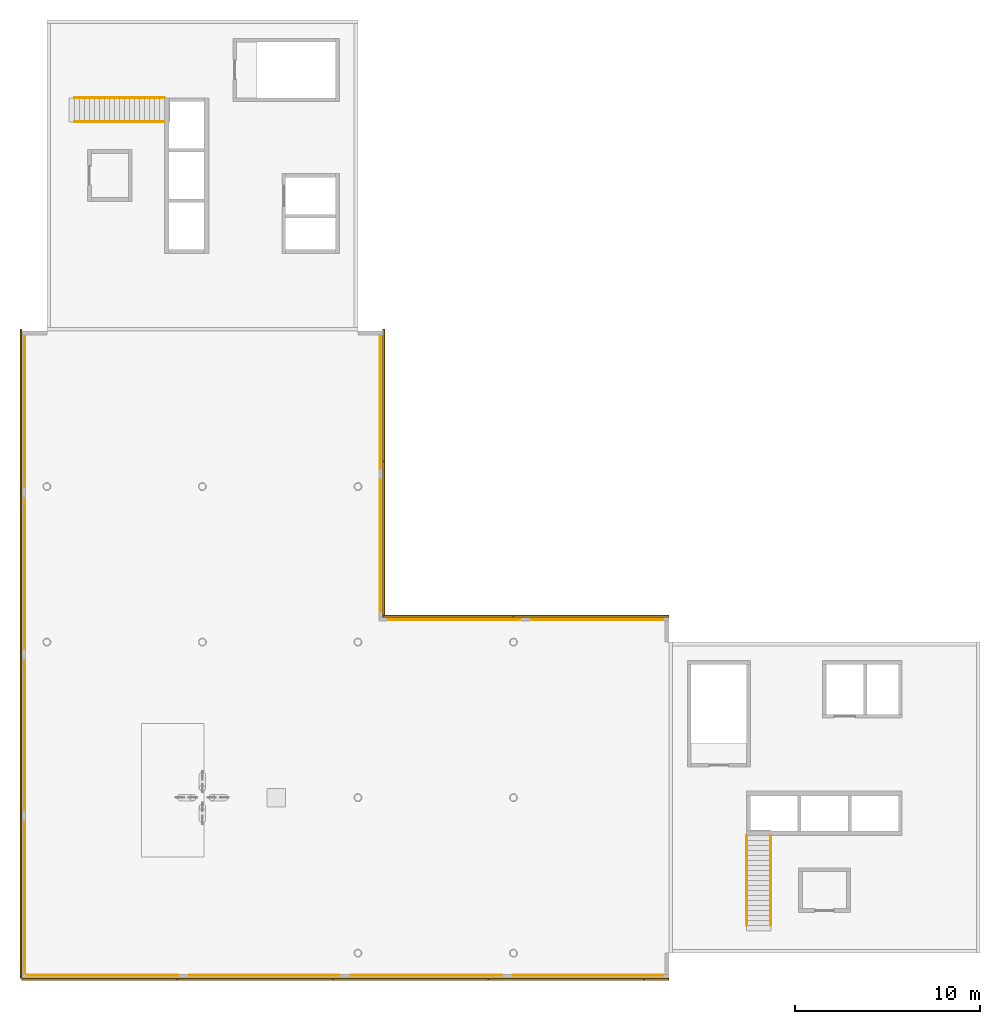
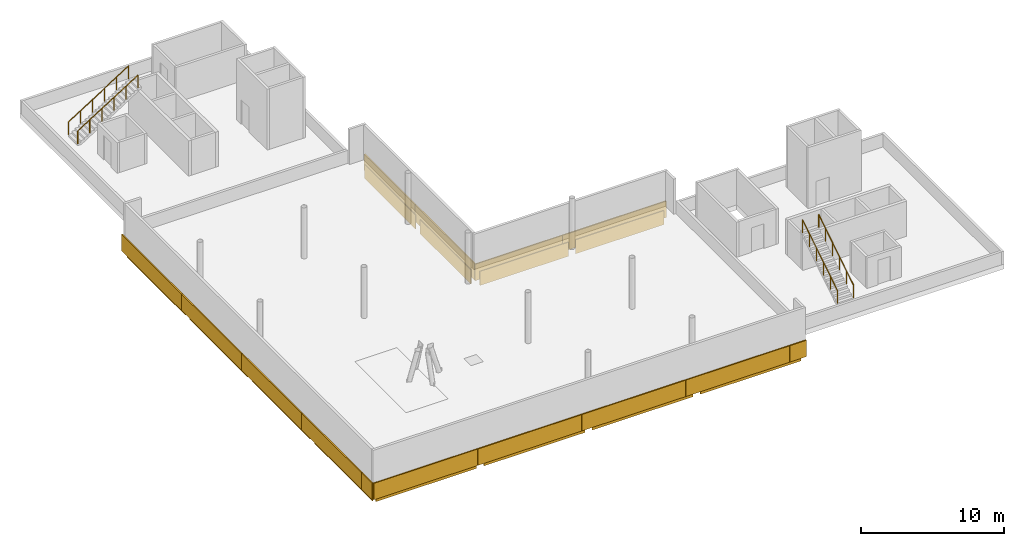
# One storey, part 4 of 4: 26 shading devices, 4 railings.
"""IFC4 building model written with IfcOpenShell, lengths in metres."""

from ifc_helpers import new_model, si_unit, direction, frame, origin, origin_2d, place, context, subcontext, project, spatial, rectangle, circle, extrude, material, layer, layer_set, type_object, element, save


model = new_model("IFC4")

# Units and contexts
model_context = context("Model", 3, precision=1e-05, world=origin(), true_north=direction((0.0, 1.0)))
body_context = subcontext(model_context, "Body", "Model", "MODEL_VIEW")
ifc_project = project(units=[si_unit("LENGTHUNIT", "METRE"), si_unit("AREAUNIT", "SQUARE_METRE"), si_unit("VOLUMEUNIT", "CUBIC_METRE"), si_unit("PLANEANGLEUNIT", "RADIAN"), si_unit("MASSUNIT", "GRAM", prefix="KILO")], contexts=[model_context])

# Site, building, storey
site_placement = place(None, origin())
site = spatial("IfcSite", under=ifc_project, at=site_placement, CompositionType="ELEMENT")
building_placement = place(site_placement, origin())
building = spatial("IfcBuilding", under=site, at=building_placement, Name="Vermilion Gate Residences", CompositionType="ELEMENT")
storey_placement = place(building_placement, frame((0.0, 0.0, 284.199951171875)))
storey = spatial("IfcBuildingStorey", under=building, at=storey_placement, Name="ROOF", CompositionType="ELEMENT", Elevation=284.199951171875)

# Shading devices
ifc_material_1 = material(Name="Perforated terracotta", Category="masonry")
ifc_layer_1 = layer(ifc_material_1, 0.050048828125)
ifc_layer_set_1 = layer_set([ifc_layer_1], Name="PERFORATED TERRACOTTA CANOPY SCREEN 50")
shading_device_type_1 = type_object("IfcShadingDeviceType", Name="PERFORATED TERRACOTTA CANOPY SCREEN 50", PredefinedType="SHUTTER", material=ifc_layer_set_1)
for number, where, z_axis, x_axis, name in (
    (1, (7.199951171875, 37.63134765625, -1.5498046875), (0.0, 0.0, 1.0), (0.0, -1.0, 0.0), "SCREEN"),
    (2, (7.199951171875, 28.893798828125, -1.5498046875), (0.0, 0.0, 1.0), (0.0, -1.0, 0.0), "SCREEN"),
    (3, (7.199951171875, 20.15625, -1.5498046875), (0.0, 0.0, 1.0), (0.0, -1.0, 0.0), "SCREEN"),
    (4, (7.199951171875, 11.418701171875, -1.5498046875), (0.0, 0.0, 1.0), (0.0, -1.0, 0.0), "SCREEN"),
    (5, (11.418701171875, 7.199951171875, -1.5498046875), (0.0, 0.0, 1.0), (1.0, 0.0, 0.0), "SCREEN"),
    (6, (20.15625, 7.199951171875, -1.5498046875), (0.0, 0.0, 1.0), (1.0, 0.0, 0.0), "SCREEN"),
    (7, (28.893798828125, 7.199951171875, -1.5498046875), (0.0, 0.0, 1.0), (1.0, 0.0, 0.0), "SCREEN"),
    (8, (37.63134765625, 7.199951171875, -1.5498046875), (0.0, 0.0, 1.0), (1.0, 0.0, 0.0), "SCREEN"),
):
    element("IfcShadingDevice", number, at=place(storey_placement, frame(where, z_axis=z_axis, x_axis=x_axis)), inside=storey, type_object=shading_device_type_1, Name=name, PredefinedType="SHUTTER", context=body_context, shape_type="SweptSolid", body=[
        extrude(rectangle(XDim=8.137451171875, YDim=0.050048828125, at=origin_2d()), origin(), (0.0, 0.0, 1.0), 1.199951171875),
    ])
for number, where, z_axis, x_axis, name in (
    (9, (38.137451171875, 26.39990234375, -1.5498046875), (0.0, 0.0, 1.0), (-1.0, 0.0, 0.0), "SCREEN"),
    (10, (30.41259765625, 26.39990234375, -1.5498046875), (0.0, 0.0, 1.0), (-1.0, 0.0, 0.0), "SCREEN"),
    (11, (26.39990234375, 30.41259765625, -1.5498046875), (0.0, 0.0, 1.0), (0.0, 1.0, 0.0), "SCREEN"),
    (12, (26.39990234375, 38.137451171875, -1.5498046875), (0.0, 0.0, 1.0), (0.0, 1.0, 0.0), "SCREEN"),
):
    element("IfcShadingDevice", number, at=place(storey_placement, frame(where, z_axis=z_axis, x_axis=x_axis)), inside=storey, type_object=shading_device_type_1, Name=name, PredefinedType="SHUTTER", context=body_context, shape_type="SweptSolid", body=[
        extrude(rectangle(XDim=7.125, YDim=0.050048828125, at=origin_2d()), origin(), (0.0, 0.0, 1.0), 1.199951171875),
    ])

# Railings
ifc_material_2 = material(Name="Steel S355", Category="steel")
railing_type = type_object("IfcRailingType", Name="STAIR GUARD 1100 STEEL", PredefinedType="GUARDRAIL", material=ifc_material_2)
for number, where, name in (
    (13, (46.199951171875, 9.889892578125, 0.171142578125), "Roof access stair guard STA3-ROOF (1)"),
    (14, (47.5, 9.889892578125, 0.171142578125), "Roof access stair guard STA3-ROOF (2)"),
):
    element("IfcRailing", number, at=place(storey_placement, frame(where)), inside=storey, type_object=railing_type, Name=name, PredefinedType="GUARDRAIL", context=body_context, shape_type="SweptSolid", body=[
        extrude(circle(Radius=0.02392578125, at=origin_2d()), frame((0.0, 0.0, 1.076171875), z_axis=(0.0, 0.844757049237, 0.535150004919), x_axis=(-1.0, 0.0, 0.0)), (0.0, 0.0, 1.0), 5.753173828125),
        extrude(circle(Radius=0.02099609375, at=origin_2d()), origin(), (0.0, 0.0, 1.0), 1.052001953125),
        extrude(circle(Radius=0.02099609375, at=origin_2d()), frame((0.0, 0.971923828125, 0.61572265625)), (0.0, 0.0, 1.0), 1.052001953125),
        extrude(circle(Radius=0.02099609375, at=origin_2d()), frame((0.0, 1.944091796875, 1.2314453125)), (0.0, 0.0, 1.0), 1.052001953125),
        extrude(circle(Radius=0.02099609375, at=origin_2d()), frame((0.0, 2.916015625, 1.847412109375)), (0.0, 0.0, 1.0), 1.052001953125),
        extrude(circle(Radius=0.02099609375, at=origin_2d()), frame((0.0, 3.88818359375, 2.463134765625)), (0.0, 0.0, 1.0), 1.052001953125),
        extrude(circle(Radius=0.02099609375, at=origin_2d()), frame((0.0, 4.860107421875, 3.078857421875)), (0.0, 0.0, 1.0), 1.052001953125),
    ])
for number, where, name in (
    (15, (9.889892578125, 54.60009765625, 0.171142578125), "Roof access stair guard STB3-ROOF (1)"),
    (16, (9.889892578125, 53.300048828125, 0.171142578125), "Roof access stair guard STB3-ROOF (2)"),
):
    element("IfcRailing", number, at=place(storey_placement, frame(where)), inside=storey, type_object=railing_type, Name=name, PredefinedType="GUARDRAIL", context=body_context, shape_type="SweptSolid", body=[
        extrude(circle(Radius=0.02392578125, at=origin_2d()), frame((0.0, 0.0, 1.076171875), z_axis=(0.844757049237, 0.0, 0.535150004919), x_axis=(0.0, 1.0, 0.0)), (0.0, 0.0, 1.0), 5.753173828125),
        extrude(circle(Radius=0.02099609375, at=origin_2d()), origin(), (0.0, 0.0, 1.0), 1.052001953125),
        extrude(circle(Radius=0.02099609375, at=origin_2d()), frame((0.971923828125, 0.0, 0.61572265625)), (0.0, 0.0, 1.0), 1.052001953125),
        extrude(circle(Radius=0.02099609375, at=origin_2d()), frame((1.944091796875, 0.0, 1.2314453125)), (0.0, 0.0, 1.0), 1.052001953125),
        extrude(circle(Radius=0.02099609375, at=origin_2d()), frame((2.916015625, 0.0, 1.847412109375)), (0.0, 0.0, 1.0), 1.052001953125),
        extrude(circle(Radius=0.02099609375, at=origin_2d()), frame((3.88818359375, 0.0, 2.463134765625)), (0.0, 0.0, 1.0), 1.052001953125),
        extrude(circle(Radius=0.02099609375, at=origin_2d()), frame((4.860107421875, 0.0, 3.078857421875)), (0.0, 0.0, 1.0), 1.052001953125),
    ])

# Shading devices
ifc_material_3 = material(Name="Extruded terracotta", Category="masonry")
ifc_layer_2 = layer(ifc_material_3, 0.10009765625)
ifc_layer_set_2 = layer_set([ifc_layer_2], Name="TERRACOTTA CANOPY FASCIA 1400 X 100")
shading_device_type_2 = type_object("IfcShadingDeviceType", Name="TERRACOTTA CANOPY FASCIA 1400 X 100", PredefinedType="USERDEFINED", material=ifc_layer_set_2)
shading_device_1_placement = place(storey_placement, frame((7.0, 37.905029296875, -1.14990234375), z_axis=(0.0, 0.0, 1.0), x_axis=(0.0, 1.0, 0.0)))
element("IfcShadingDevice", 17, at=shading_device_1_placement, inside=storey, type_object=shading_device_type_2, Name="CANOPY FASCIA", ObjectType="FASCIA", PredefinedType="USERDEFINED", context=body_context, shape_type="SweptSolid", body=[
    extrude(rectangle(XDim=8.389892578125, YDim=0.10009765625, at=origin_2d()), origin(), (0.0, 0.0, 1.0), 1.39990234375),
])
for number, where, z_axis, x_axis, name in (
    (18, (7.0, 29.5, -1.14990234375), (0.0, 0.0, 1.0), (0.0, 1.0, 0.0), "CANOPY FASCIA"),
    (19, (7.0, 21.10009765625, -1.14990234375), (0.0, 0.0, 1.0), (0.0, 1.0, 0.0), "CANOPY FASCIA"),
    (20, (7.0, 12.699951171875, -1.14990234375), (0.0, 0.0, 1.0), (0.0, 1.0, 0.0), "CANOPY FASCIA"),
):
    element("IfcShadingDevice", number, at=place(storey_placement, frame(where, z_axis=z_axis, x_axis=x_axis)), inside=storey, type_object=shading_device_type_2, Name=name, ObjectType="FASCIA", PredefinedType="USERDEFINED", context=body_context, shape_type="SweptSolid", body=[
        extrude(rectangle(XDim=8.3798828125, YDim=0.10009765625, at=origin_2d()), origin(), (0.0, 0.0, 1.0), 1.39990234375),
    ])
shading_device_2_placement = place(storey_placement, frame((7.0, 7.77001953125, -1.14990234375), z_axis=(0.0, 0.0, 1.0), x_axis=(0.0, 1.0, 0.0)))
element("IfcShadingDevice", 21, at=shading_device_2_placement, inside=storey, type_object=shading_device_type_2, Name="CANOPY FASCIA", ObjectType="FASCIA", PredefinedType="USERDEFINED", context=body_context, shape_type="SweptSolid", body=[
    extrude(rectangle(XDim=1.43994140625, YDim=0.10009765625, at=origin_2d()), origin(), (0.0, 0.0, 1.0), 1.39990234375),
])
shading_device_3_placement = place(storey_placement, frame((11.2451171875, 7.0, -1.14990234375), z_axis=(0.0, 0.0, 1.0), x_axis=(1.0, 0.0, 0.0)))
element("IfcShadingDevice", 22, at=shading_device_3_placement, inside=storey, type_object=shading_device_type_2, Name="CANOPY FASCIA", ObjectType="FASCIA", PredefinedType="USERDEFINED", context=body_context, shape_type="SweptSolid", body=[
    extrude(rectangle(XDim=8.389892578125, YDim=0.10009765625, at=origin_2d()), origin(), (0.0, 0.0, 1.0), 1.39990234375),
])
for number, where, z_axis, x_axis, name in (
    (23, (19.64990234375, 7.0, -1.14990234375), (0.0, 0.0, 1.0), (1.0, 0.0, 0.0), "CANOPY FASCIA"),
    (24, (28.050048828125, 7.0, -1.14990234375), (0.0, 0.0, 1.0), (1.0, 0.0, 0.0), "CANOPY FASCIA"),
    (25, (36.449951171875, 7.0, -1.14990234375), (0.0, 0.0, 1.0), (1.0, 0.0, 0.0), "CANOPY FASCIA"),
):
    element("IfcShadingDevice", number, at=place(storey_placement, frame(where, z_axis=z_axis, x_axis=x_axis)), inside=storey, type_object=shading_device_type_2, Name=name, ObjectType="FASCIA", PredefinedType="USERDEFINED", context=body_context, shape_type="SweptSolid", body=[
        extrude(rectangle(XDim=8.3798828125, YDim=0.10009765625, at=origin_2d()), origin(), (0.0, 0.0, 1.0), 1.39990234375),
    ])
shading_device_4_placement = place(storey_placement, frame((41.330078125, 7.0, -1.14990234375), z_axis=(0.0, 0.0, 1.0), x_axis=(1.0, 0.0, 0.0)))
element("IfcShadingDevice", 26, at=shading_device_4_placement, inside=storey, type_object=shading_device_type_2, Name="CANOPY FASCIA", ObjectType="FASCIA", PredefinedType="USERDEFINED", context=body_context, shape_type="SweptSolid", body=[
    extrude(rectangle(XDim=1.340087890625, YDim=0.10009765625, at=origin_2d()), origin(), (0.0, 0.0, 1.0), 1.39990234375),
])
shading_device_5_placement = place(storey_placement, frame((37.804931640625, 26.60009765625, -1.14990234375), z_axis=(0.0, 0.0, 1.0), x_axis=(1.0, 0.0, 0.0)))
element("IfcShadingDevice", 27, at=shading_device_5_placement, inside=storey, type_object=shading_device_type_2, Name="CANOPY FASCIA", ObjectType="FASCIA", PredefinedType="USERDEFINED", context=body_context, shape_type="SweptSolid", body=[
    extrude(rectangle(XDim=8.389892578125, YDim=0.10009765625, at=origin_2d()), origin(), (0.0, 0.0, 1.0), 1.39990234375),
])
shading_device_6_placement = place(storey_placement, frame((30.070068359375, 26.60009765625, -1.14990234375), z_axis=(0.0, 0.0, 1.0), x_axis=(1.0, 0.0, 0.0)))
element("IfcShadingDevice", 28, at=shading_device_6_placement, inside=storey, type_object=shading_device_type_2, Name="CANOPY FASCIA", ObjectType="FASCIA", PredefinedType="USERDEFINED", context=body_context, shape_type="SweptSolid", body=[
    extrude(rectangle(XDim=7.0400390625, YDim=0.10009765625, at=origin_2d()), origin(), (0.0, 0.0, 1.0), 1.39990234375),
])
shading_device_7_placement = place(storey_placement, frame((26.60009765625, 30.7451171875, -1.14990234375), z_axis=(0.0, 0.0, 1.0), x_axis=(0.0, 1.0, 0.0)))
element("IfcShadingDevice", 29, at=shading_device_7_placement, inside=storey, type_object=shading_device_type_2, Name="CANOPY FASCIA", ObjectType="FASCIA", PredefinedType="USERDEFINED", context=body_context, shape_type="SweptSolid", body=[
    extrude(rectangle(XDim=8.389892578125, YDim=0.10009765625, at=origin_2d()), origin(), (0.0, 0.0, 1.0), 1.39990234375),
])
shading_device_8_placement = place(storey_placement, frame((26.60009765625, 38.530029296875, -1.14990234375), z_axis=(0.0, 0.0, 1.0), x_axis=(0.0, 1.0, 0.0)))
element("IfcShadingDevice", 30, at=shading_device_8_placement, inside=storey, type_object=shading_device_type_2, Name="CANOPY FASCIA", ObjectType="FASCIA", PredefinedType="USERDEFINED", context=body_context, shape_type="SweptSolid", body=[
    extrude(rectangle(XDim=7.139892578125, YDim=0.10009765625, at=origin_2d()), origin(), (0.0, 0.0, 1.0), 1.39990234375),
])

save(model, "model.ifc")
